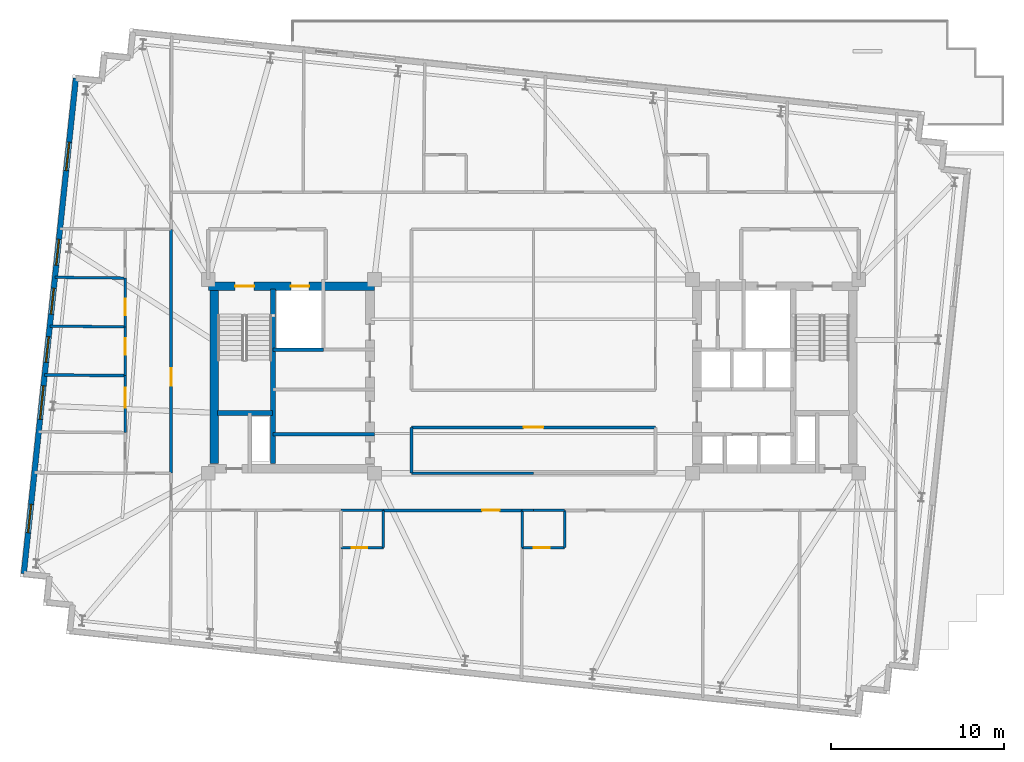
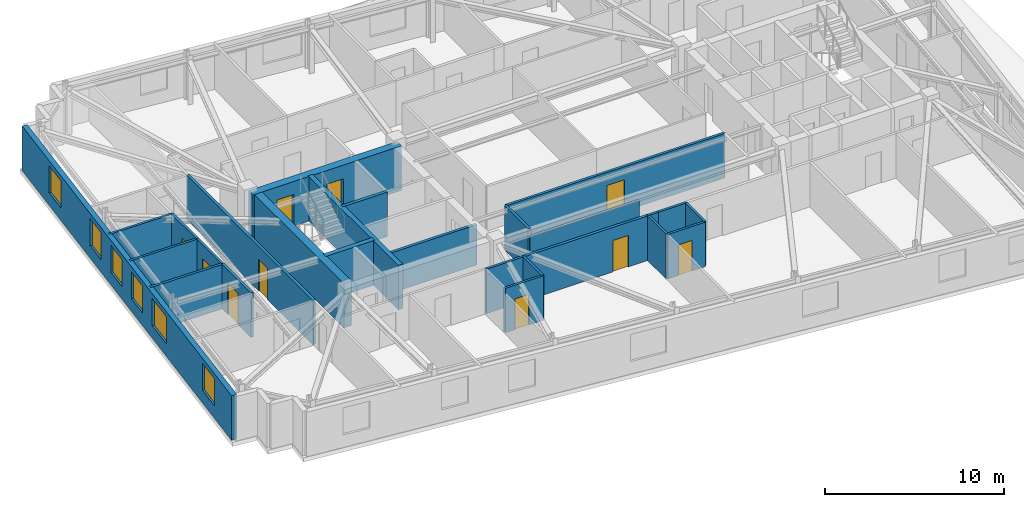
# One storey, part 6 of 13: 26 walls, 10 doors, 6 windows, 16 openings.
"""IFC4 building model written with IfcOpenShell, lengths in metres."""

import ifcopenshell
import ifcopenshell.guid

model = None  # the IFC model being written
_history = None  # IfcOwnerHistory: only IFC2X3 demands one
_inside = {}  # id of a spatial element -> (the spatial element, [elements in it])
_under = {}  # id of a project, library or spatial element -> (it, [spatial elements below it])
_declared = {}  # id of a project -> (the project, [libraries it declares])
_typed = {}  # id of a type object -> (the type object, [elements of that type])
_made_of = {}  # id of a material, layer set ... -> (it, [elements and type objects made of it])


def new_model(schema):
    """Start an empty IFC model of exactly this schema.

    Asked for "IFC4X3", IfcOpenShell would pick the latest addendum, in which some entities
    have other attributes; the version numbers below select the first issue.
    IFC2X3 requires an IfcOwnerHistory on every rooted entity: one is made here for all.
    """
    global model, _history
    if schema == "IFC4X3":
        model = ifcopenshell.file(schema_version=(4, 3, 0, 0))
    else:
        model = ifcopenshell.file(schema=schema)
    _inside.clear()
    _under.clear()
    _declared.clear()
    _typed.clear()
    _made_of.clear()
    _history = None
    if model.schema == "IFC2X3":
        org = make("IfcOrganization", Name="unknown")
        user = make(
            "IfcPersonAndOrganization",
            ThePerson=make("IfcPerson", FamilyName="unknown"),
            TheOrganization=org,
        )
        app = make(
            "IfcApplication",
            ApplicationDeveloper=org,
            Version="unknown",
            ApplicationFullName="unknown",
            ApplicationIdentifier="unknown",
        )
        _history = make(
            "IfcOwnerHistory",
            OwningUser=user,
            OwningApplication=app,
            ChangeAction="ADDED",
            CreationDate=0,
        )
    return model


def make(cls, **values):
    """One entity of the class cls with the attributes given. An attribute that is None is left unset."""
    return model.create_entity(
        cls, **{name: value for name, value in values.items() if value is not None}
    )


def rooted(cls, **values):
    """An entity with a GlobalId (a new one), such as an element, a storey or a relation."""
    return make(cls, GlobalId=ifcopenshell.guid.new(), OwnerHistory=_history, **values)


def si_unit(unit_type, name, prefix=None):
    """IfcSIUnit, for example si_unit("LENGTHUNIT", "METRE", prefix="MILLI")."""
    return make("IfcSIUnit", UnitType=unit_type, Prefix=prefix, Name=name)


def assignment(units):
    """IfcUnitAssignment: the units of a project."""
    return None if units is None else make("IfcUnitAssignment", Units=units)


def point(xyz):
    """IfcCartesianPoint."""
    return None if xyz is None else make("IfcCartesianPoint", Coordinates=xyz)


def direction(xyz):
    """IfcDirection."""
    return None if xyz is None else make("IfcDirection", DirectionRatios=xyz)


def frame(location, z_axis=None, x_axis=None):
    """IfcAxis2Placement3D, a coordinate frame: its origin and axes. An axis left out is left unset."""
    return make(
        "IfcAxis2Placement3D",
        Location=point(location),
        Axis=direction(z_axis),
        RefDirection=direction(x_axis),
    )


def frame_2d(location, x_axis=None):
    """IfcAxis2Placement2D, a coordinate frame in the plane: its origin and x axis."""
    return make(
        "IfcAxis2Placement2D", Location=point(location), RefDirection=direction(x_axis)
    )


def origin():
    """The frame at (0, 0, 0) with its axes left unset."""
    return frame((0.0, 0.0, 0.0))


def place(relative_to, where):
    """IfcLocalPlacement: puts the frame where relative to a parent placement (None: the world)."""
    return make(
        "IfcLocalPlacement", PlacementRelTo=relative_to, RelativePlacement=where
    )


def context(
    kind, dimensions, precision=None, world=None, true_north=None, identifier=None
):
    """IfcGeometricRepresentationContext, for example the 3D "Model" context."""
    return make(
        "IfcGeometricRepresentationContext",
        ContextIdentifier=identifier,
        ContextType=kind,
        CoordinateSpaceDimension=dimensions,
        Precision=precision,
        WorldCoordinateSystem=world,
        TrueNorth=true_north,
    )


def subcontext(parent, identifier, kind, view, scale=None):
    """IfcGeometricRepresentationSubContext, for example "Body" below "Model"."""
    return make(
        "IfcGeometricRepresentationSubContext",
        ContextIdentifier=identifier,
        ContextType=kind,
        ParentContext=parent,
        TargetScale=scale,
        TargetView=view,
    )


def project(units=None, contexts=None):
    """IfcProject with its units and contexts."""
    return rooted(
        "IfcProject",
        Name="project",
        RepresentationContexts=contexts,
        UnitsInContext=assignment(units),
    )


def spatial(cls, under=None, at=None, **own):
    """A site, building, storey or space (cls), placed at a placement, below another one or the project."""
    s = rooted(cls, ObjectPlacement=at, **own)
    if under is not None:
        _under.setdefault(under.id(), (under, []))[1].append(s)
    return s


def profile(cls, at=None, kind="AREA", **sizes):
    """A parametric profile (cls). Its sizes go by their IFC names, for example OverallWidth=200.0."""
    return make(cls, ProfileType=kind, Position=at, **sizes)


def rectangle(**sizes):
    """IfcRectangleProfileDef."""
    return profile("IfcRectangleProfileDef", **sizes)


def extrude(swept, where, along, depth):
    """IfcExtrudedAreaSolid: the profile swept, set in the frame where, extruded along a direction by depth."""
    return make(
        "IfcExtrudedAreaSolid",
        SweptArea=swept,
        Position=where,
        ExtrudedDirection=direction(along),
        Depth=depth,
    )


def shape(context_of_items, identifier, shape_type, items):
    """IfcShapeRepresentation: the items that make up one representation, for example the "Body"."""
    return make(
        "IfcShapeRepresentation",
        ContextOfItems=context_of_items,
        RepresentationIdentifier=identifier,
        RepresentationType=shape_type,
        Items=items,
    )


def material(Name=None, Category=None):
    """IfcMaterial."""
    return make("IfcMaterial", Name=Name, Category=Category)


def layer(
    of_material, thickness, ventilated=None, Name=None, Category=None, Priority=None
):
    """IfcMaterialLayer: one layer of a wall or slab, of a material (None: an air gap)."""
    return make(
        "IfcMaterialLayer",
        Material=of_material,
        LayerThickness=thickness,
        IsVentilated=ventilated,
        Name=Name,
        Category=Category,
        Priority=Priority,
    )


def layer_set(layers, Name=None):
    """IfcMaterialLayerSet."""
    return make("IfcMaterialLayerSet", MaterialLayers=layers, LayerSetName=Name)


def made_of(thing, what):
    """Note that an element or type object is made of a material, layer set ...; save() writes the relation."""
    if what is not None:
        _made_of.setdefault(what.id(), (what, []))[1].append(thing)
    return thing


def type_object(cls, material=None, **own):
    """A type object (cls), such as IfcWallType, which elements share."""
    return made_of(rooted(cls, **own), material)


def element(
    cls,
    number,
    at=None,
    inside=None,
    cuts=None,
    type_object=None,
    material=None,
    context=None,
    identifier="Body",
    shape_type=None,
    held_by="IfcProductDefinitionShape",
    body=None,
    shapes=None,
    **own,
):
    """One element of the class cls, such as IfcWall. Its Tag is "e" and its number.

    at: its placement. inside: the storey or other place that contains it. cuts: it is an
    opening in that element (IfcRelVoidsElement). A single representation is given by context,
    identifier, shape_type and body (its items); several are given by shapes. held_by: the class
    of the entity that holds the representations. save() writes the other relations.
    """
    e = rooted(cls, Tag="e%d" % number, ObjectPlacement=at, **own)
    if body is not None:
        shapes = [shape(context, identifier, shape_type, body)]
    if shapes is not None:
        e.Representation = make(held_by, Representations=shapes)
    if inside is not None:
        _inside.setdefault(inside.id(), (inside, []))[1].append(e)
    if cuts is not None:
        rooted(
            "IfcRelVoidsElement", RelatingBuildingElement=cuts, RelatedOpeningElement=e
        )
    if type_object is not None:
        _typed.setdefault(type_object.id(), (type_object, []))[1].append(e)
    return made_of(e, material)


def fill(opening, filler):
    """IfcRelFillsElement: the door or window that sits in an opening."""
    return rooted(
        "IfcRelFillsElement",
        RelatingOpeningElement=opening,
        RelatedBuildingElement=filler,
    )


def aggregate(whole, parts):
    """IfcRelAggregates: a whole, such as a stair, and the parts it consists of."""
    return rooted("IfcRelAggregates", RelatingObject=whole, RelatedObjects=parts)


def save(model, path):
    """Write the relations noted so far, then the file.

    IfcRelAggregates (storeys below a building ...), IfcRelContainedInSpatialStructure (elements
    in a storey), IfcRelDefinesByType, IfcRelAssociatesMaterial and IfcRelDeclares: one each for
    every whole, place, type object, material and project.
    """
    for whole, parts in _under.values():
        aggregate(whole, parts)
    for where, things in _inside.values():
        rooted(
            "IfcRelContainedInSpatialStructure",
            RelatedElements=things,
            RelatingStructure=where,
        )
    for kind, things in _typed.values():
        rooted("IfcRelDefinesByType", RelatedObjects=things, RelatingType=kind)
    for what, things in _made_of.values():
        rooted("IfcRelAssociatesMaterial", RelatedObjects=things, RelatingMaterial=what)
    for by, libraries in _declared.values():
        rooted("IfcRelDeclares", RelatingContext=by, RelatedDefinitions=libraries)
    model.write(path)


model = new_model("IFC4")

# Units and contexts
model_context = context("Model", 3, precision=1e-05, world=origin(), true_north=direction((0.0, 1.0)))
body_context = subcontext(model_context, "Body", "Model", "MODEL_VIEW")
ifc_project = project(units=[si_unit("LENGTHUNIT", "METRE"), si_unit("AREAUNIT", "SQUARE_METRE"), si_unit("VOLUMEUNIT", "CUBIC_METRE"), si_unit("PLANEANGLEUNIT", "RADIAN"), si_unit("MASSUNIT", "GRAM", prefix="KILO")], contexts=[model_context])

# Site, building, storey
site_placement = place(None, origin())
site = spatial("IfcSite", under=ifc_project, at=site_placement, CompositionType="ELEMENT")
building_placement = place(site_placement, origin())
building = spatial("IfcBuilding", under=site, at=building_placement, Name="Qobustan Lattice House", CompositionType="ELEMENT")
storey_placement = place(building_placement, frame((0.0, 0.0, 179.64990234375)))
storey = spatial("IfcBuildingStorey", under=building, at=storey_placement, Name="L50", CompositionType="ELEMENT", Elevation=179.64990234375)

# Wall, openings, doors
ifc_material_1 = material(Name="Concrete C50/60", Category="concrete")
ifc_layer_1 = layer(ifc_material_1, 0.5)
ifc_layer_set_1 = layer_set([ifc_layer_1], Name="Concrete C50/60")
wall_type_1 = type_object("IfcWallType", Name="WAL-CORE-500", PredefinedType="SHEAR", material=ifc_layer_set_1)
wall_1_placement = place(storey_placement, frame((-18.800048828125, 5.2099609375, 0.0), z_axis=(0.0, 0.0, 1.0), x_axis=(1.0, 0.0, 0.0)))
wall_1 = element("IfcWall", 1, at=wall_1_placement, inside=storey, type_object=wall_type_1, Name="L50 split-core shear wall CW-N", PredefinedType="SHEAR", context=body_context, shape_type="SweptSolid", body=[
    extrude(rectangle(XDim=9.60009765625, YDim=0.5, at=frame_2d((4.800048828125, 0.0))), origin(), (0.0, 0.0, 1.0), 3.0400390625),
])
opening_1_placement = place(wall_1_placement, frame((1.550048828125, 0.0, 0.0)))
opening_1 = element("IfcOpeningElement", 2, at=opening_1_placement, cuts=wall_1, Name="Opening SD-01", PredefinedType="OPENING", context=body_context, shape_type="SweptSolid", body=[
    extrude(rectangle(XDim=1.10009765625, YDim=2.14990234375, at=frame_2d((0.550048828125, 1.074951171875))), frame((0.0, 0.260009765625, 0.0), z_axis=(0.0, -1.0, 0.0), x_axis=(1.0, 0.0, 0.0)), (0.0, 0.0, 1.0), 0.52001953125),
])
opening_2_placement = place(wall_1_placement, frame((4.77490234375, 0.0, 0.0)))
opening_2 = element("IfcOpeningElement", 3, at=opening_2_placement, cuts=wall_1, Name="Opening LD-01", PredefinedType="OPENING", context=body_context, shape_type="SweptSolid", body=[
    extrude(rectangle(XDim=1.050048828125, YDim=2.10009765625, at=frame_2d((0.52490234375, 1.050048828125))), frame((0.0, 0.260009765625, 0.0), z_axis=(0.0, -1.0, 0.0), x_axis=(1.0, 0.0, 0.0)), (0.0, 0.0, 1.0), 0.52001953125),
])
ifc_material_2 = material(Name="Persian walnut timber and steel frame door", Category="steel")
door_type_1 = type_object("IfcDoorType", Name="DOR-LIFT-LD-1050x2100", OperationType="NOTDEFINED", PredefinedType="DOOR", material=ifc_material_2)
door_1_placement = place(opening_2_placement, origin())
door_1 = element("IfcDoor", 4, at=door_1_placement, inside=storey, type_object=door_type_1, Name="L50 firefighting lift FF-W landing door", OperationType="DOUBLE_DOOR_SLIDING", OverallHeight=2.10009765625, OverallWidth=1.050048828125, PredefinedType="DOOR", context=body_context, shape_type="SweptSolid", body=[
    extrude(rectangle(XDim=1.050048828125, YDim=2.10009765625, at=frame_2d((0.52490234375, 1.050048828125))), frame((0.0, 0.02490234375, 0.0), z_axis=(0.0, -1.0, 0.0), x_axis=(1.0, 0.0, 0.0)), (0.0, 0.0, 1.0), 0.050048828125),
])
fill(opening_2, door_1)
ifc_material_3 = material(Name="Persian walnut timber and steel frame door", Category="steel")
door_type_2 = type_object("IfcDoorType", Name="DOR-STAIR-FD-1100x2150", OperationType="NOTDEFINED", PredefinedType="DOOR", material=ifc_material_3)
door_2_placement = place(opening_1_placement, origin())
door_2 = element("IfcDoor", 5, at=door_2_placement, inside=storey, type_object=door_type_2, Name="L50 exit stair ST-W1 fire door", OperationType="SINGLE_SWING_LEFT", OverallHeight=2.14990234375, OverallWidth=1.10009765625, PredefinedType="DOOR", context=body_context, shape_type="SweptSolid", body=[
    extrude(rectangle(XDim=1.10009765625, YDim=2.14990234375, at=frame_2d((0.550048828125, 1.074951171875))), frame((0.0, 0.02490234375, 0.0), z_axis=(0.0, -1.0, 0.0), x_axis=(1.0, 0.0, 0.0)), (0.0, 0.0, 1.0), 0.050048828125),
])
fill(opening_1, door_2)

# Walls
wall_2_placement = place(storey_placement, frame((-18.4599609375, -5.050048828125, 0.0), z_axis=(0.0, 0.0, 1.0), x_axis=(0.0, 1.0, 0.0)))
element("IfcWall", 6, at=wall_2_placement, inside=storey, type_object=wall_type_1, Name="L50 split-core shear wall CW-W", PredefinedType="SHEAR", context=body_context, shape_type="SweptSolid", body=[
    extrude(rectangle(XDim=10.10009765625, YDim=0.5, at=frame_2d((5.050048828125, 0.0))), origin(), (0.0, 0.0, 1.0), 3.0400390625),
])
ifc_material_4 = material(Name="Concrete C50/60", Category="concrete")
ifc_layer_2 = layer(ifc_material_4, 0.280029296875)
ifc_layer_set_2 = layer_set([ifc_layer_2], Name="Concrete C50/60")
wall_type_2 = type_object("IfcWallType", Name="WAL-CORE-SPINE-280", PredefinedType="SHEAR", material=ifc_layer_set_2)
wall_3_placement = place(storey_placement, frame((-15.050048828125, -5.050048828125, 0.0), z_axis=(0.0, 0.0, 1.0), x_axis=(0.0, 1.0, 0.0)))
element("IfcWall", 7, at=wall_3_placement, inside=storey, type_object=wall_type_2, Name="L50 split-core shear wall CW-M", PredefinedType="SHEAR", context=body_context, shape_type="SweptSolid", body=[
    extrude(rectangle(XDim=10.10009765625, YDim=0.300048828125, at=frame_2d((5.050048828125, 0.0))), origin(), (0.0, 0.0, 1.0), 3.0400390625),
])
wall_4_placement = place(storey_placement, frame((-18.280029296875, -2.110107421875, 0.0), z_axis=(0.0, 0.0, 1.0), x_axis=(1.0, 0.0, 0.0)))
element("IfcWall", 8, at=wall_4_placement, inside=storey, type_object=wall_type_2, Name="L50 split-core shear wall CW-ST", PredefinedType="SHEAR", context=body_context, shape_type="SweptSolid", body=[
    extrude(rectangle(XDim=3.179931640625, YDim=0.300048828125, at=frame_2d((1.58984375, 0.0))), origin(), (0.0, 0.0, 1.0), 3.0400390625),
])

# Wall, openings, windows
ifc_material_5 = material(Name="Precast concrete C40/50", Category="concrete")
ifc_layer_3 = layer(ifc_material_5, 0.320068359375)
ifc_layer_set_3 = layer_set([ifc_layer_3], Name="Precast concrete C40/50")
wall_type_3 = type_object("IfcWallType", Name="WAL-EXT-STONE-320", PredefinedType="SOLIDWALL", material=ifc_layer_set_3)
wall_5_placement = place(storey_placement, frame((-29.46337890625, -11.413818359375, 0.0), z_axis=(0.0, 0.0, 1.0), x_axis=(0.104530779244, 0.994521651947, 0.0)))
wall_5 = element("IfcWall", 9, at=wall_5_placement, inside=storey, type_object=wall_type_3, Name="L50 exterior limestone-clad wall 5", PredefinedType="SOLIDWALL", context=body_context, shape_type="SweptSolid", body=[
    extrude(rectangle(XDim=28.800048828125, YDim=0.320068359375, at=frame_2d((14.39990234375, 0.0))), origin(), (0.0, 0.0, 1.0), 3.0400390625),
])
opening_3_placement = place(wall_5_placement, frame((2.3837890625, 0.0, 0.85009765625)))
opening_3 = element("IfcOpeningElement", 10, at=opening_3_placement, cuts=wall_5, Name="Opening WN-09", PredefinedType="OPENING", context=body_context, shape_type="SweptSolid", body=[
    extrude(rectangle(XDim=1.64990234375, YDim=1.85009765625, at=frame_2d((0.824951171875, 0.925048828125))), frame((0.0, 0.169921875, 0.0), z_axis=(0.0, -1.0, 0.0), x_axis=(1.0, 0.0, 0.0)), (0.0, 0.0, 1.0), 0.340087890625),
])
opening_4_placement = place(wall_5_placement, frame((8.97265625, 0.0, 0.85009765625)))
opening_4 = element("IfcOpeningElement", 11, at=opening_4_placement, cuts=wall_5, Name="Opening WN-08", PredefinedType="OPENING", context=body_context, shape_type="SweptSolid", body=[
    extrude(rectangle(XDim=1.949951171875, YDim=1.85009765625, at=frame_2d((0.97509765625, 0.925048828125))), frame((0.0, 0.169921875, 0.0), z_axis=(0.0, -1.0, 0.0), x_axis=(1.0, 0.0, 0.0)), (0.0, 0.0, 1.0), 0.340087890625),
])
opening_5_placement = place(wall_5_placement, frame((12.2861328125, 0.0, 0.85009765625)))
opening_5 = element("IfcOpeningElement", 12, at=opening_5_placement, cuts=wall_5, Name="Opening WN-01", PredefinedType="OPENING", context=body_context, shape_type="SweptSolid", body=[
    extrude(rectangle(XDim=1.5, YDim=1.85009765625, at=frame_2d((0.75, 0.925048828125))), frame((0.0, 0.169921875, 0.0), z_axis=(0.0, -1.0, 0.0), x_axis=(1.0, 0.0, 0.0)), (0.0, 0.0, 1.0), 0.340087890625),
])
opening_6_placement = place(wall_5_placement, frame((15.093994140625, 0.0, 0.85009765625)))
opening_6 = element("IfcOpeningElement", 13, at=opening_6_placement, cuts=wall_5, Name="Opening WN-01", PredefinedType="OPENING", context=body_context, shape_type="SweptSolid", body=[
    extrude(rectangle(XDim=1.5, YDim=1.85009765625, at=frame_2d((0.75, 0.925048828125))), frame((0.0, 0.169921875, 0.0), z_axis=(0.0, -1.0, 0.0), x_axis=(1.0, 0.0, 0.0)), (0.0, 0.0, 1.0), 0.340087890625),
])
opening_7_placement = place(wall_5_placement, frame((17.94189453125, 0.0, 0.85009765625)))
opening_7 = element("IfcOpeningElement", 14, at=opening_7_placement, cuts=wall_5, Name="Opening WN-01", PredefinedType="OPENING", context=body_context, shape_type="SweptSolid", body=[
    extrude(rectangle(XDim=1.5, YDim=1.85009765625, at=frame_2d((0.75, 0.925048828125))), frame((0.0, 0.169921875, 0.0), z_axis=(0.0, -1.0, 0.0), x_axis=(1.0, 0.0, 0.0)), (0.0, 0.0, 1.0), 0.340087890625),
])
opening_8_placement = place(wall_5_placement, frame((23.4423828125, 0.0, 0.85009765625)))
opening_8 = element("IfcOpeningElement", 15, at=opening_8_placement, cuts=wall_5, Name="Opening WN-09", PredefinedType="OPENING", context=body_context, shape_type="SweptSolid", body=[
    extrude(rectangle(XDim=1.64990234375, YDim=1.85009765625, at=frame_2d((0.824951171875, 0.925048828125))), frame((0.0, 0.169921875, 0.0), z_axis=(0.0, -1.0, 0.0), x_axis=(1.0, 0.0, 0.0)), (0.0, 0.0, 1.0), 0.340087890625),
])
ifc_material_6 = material(Name="Double-glazed low-E aluminium window", Category="aluminium")
window_type_1 = type_object("IfcWindowType", Name="WIN-BED-1500x1850", PartitioningType="SINGLE_PANEL", PredefinedType="WINDOW", material=ifc_material_6)
window_1_placement = place(opening_5_placement, origin())
window_1 = element("IfcWindow", 16, at=window_1_placement, inside=storey, type_object=window_type_1, Name="L50 Cluster bedroom L50W1 window", OverallHeight=1.85009765625, OverallWidth=1.5, PartitioningType="SINGLE_PANEL", PredefinedType="WINDOW", context=body_context, shape_type="SweptSolid", body=[
    extrude(rectangle(XDim=1.5, YDim=1.85009765625, at=frame_2d((0.75, 0.925048828125))), frame((0.0, 0.030029296875, 0.0), z_axis=(0.0, -1.0, 0.0), x_axis=(1.0, 0.0, 0.0)), (0.0, 0.0, 1.0), 0.06005859375),
])
fill(opening_5, window_1)
window_2_placement = place(opening_6_placement, origin())
window_2 = element("IfcWindow", 17, at=window_2_placement, inside=storey, type_object=window_type_1, Name="L50 Cluster bedroom L50W2 window", OverallHeight=1.85009765625, OverallWidth=1.5, PartitioningType="SINGLE_PANEL", PredefinedType="WINDOW", context=body_context, shape_type="SweptSolid", body=[
    extrude(rectangle(XDim=1.5, YDim=1.85009765625, at=frame_2d((0.75, 0.925048828125))), frame((0.0, 0.030029296875, 0.0), z_axis=(0.0, -1.0, 0.0), x_axis=(1.0, 0.0, 0.0)), (0.0, 0.0, 1.0), 0.06005859375),
])
fill(opening_6, window_2)
window_3_placement = place(opening_7_placement, origin())
window_3 = element("IfcWindow", 18, at=window_3_placement, inside=storey, type_object=window_type_1, Name="L50 Cluster bedroom L50W3 window", OverallHeight=1.85009765625, OverallWidth=1.5, PartitioningType="SINGLE_PANEL", PredefinedType="WINDOW", context=body_context, shape_type="SweptSolid", body=[
    extrude(rectangle(XDim=1.5, YDim=1.85009765625, at=frame_2d((0.75, 0.925048828125))), frame((0.0, 0.030029296875, 0.0), z_axis=(0.0, -1.0, 0.0), x_axis=(1.0, 0.0, 0.0)), (0.0, 0.0, 1.0), 0.06005859375),
])
fill(opening_7, window_3)
ifc_material_7 = material(Name="Double-glazed low-E aluminium window", Category="aluminium")
window_type_2 = type_object("IfcWindowType", Name="WIN-KIT-1950x1850", PartitioningType="SINGLE_PANEL", PredefinedType="WINDOW", material=ifc_material_7)
window_4_placement = place(opening_4_placement, origin())
window_4 = element("IfcWindow", 19, at=window_4_placement, inside=storey, type_object=window_type_2, Name="L50 Shared kitchen L50W window", OverallHeight=1.85009765625, OverallWidth=1.949951171875, PartitioningType="SINGLE_PANEL", PredefinedType="WINDOW", context=body_context, shape_type="SweptSolid", body=[
    extrude(rectangle(XDim=1.949951171875, YDim=1.85009765625, at=frame_2d((0.97509765625, 0.925048828125))), frame((0.0, 0.030029296875, 0.0), z_axis=(0.0, -1.0, 0.0), x_axis=(1.0, 0.0, 0.0)), (0.0, 0.0, 1.0), 0.06005859375),
])
fill(opening_4, window_4)
ifc_material_8 = material(Name="Double-glazed low-E aluminium window", Category="aluminium")
window_type_3 = type_object("IfcWindowType", Name="WIN-STU-1650x1850", PartitioningType="SINGLE_PANEL", PredefinedType="WINDOW", material=ifc_material_8)
window_5_placement = place(opening_3_placement, origin())
window_5 = element("IfcWindow", 20, at=window_5_placement, inside=storey, type_object=window_type_3, Name="L50 Reading study room L50WS window", OverallHeight=1.85009765625, OverallWidth=1.64990234375, PartitioningType="SINGLE_PANEL", PredefinedType="WINDOW", context=body_context, shape_type="SweptSolid", body=[
    extrude(rectangle(XDim=1.64990234375, YDim=1.85009765625, at=frame_2d((0.824951171875, 0.925048828125))), frame((0.0, 0.030029296875, 0.0), z_axis=(0.0, -1.0, 0.0), x_axis=(1.0, 0.0, 0.0)), (0.0, 0.0, 1.0), 0.06005859375),
])
fill(opening_3, window_5)
window_6_placement = place(opening_8_placement, origin())
window_6 = element("IfcWindow", 21, at=window_6_placement, inside=storey, type_object=window_type_3, Name="L50 Reading study room L50WN window", OverallHeight=1.85009765625, OverallWidth=1.64990234375, PartitioningType="SINGLE_PANEL", PredefinedType="WINDOW", context=body_context, shape_type="SweptSolid", body=[
    extrude(rectangle(XDim=1.64990234375, YDim=1.85009765625, at=frame_2d((0.824951171875, 0.925048828125))), frame((0.0, 0.030029296875, 0.0), z_axis=(0.0, -1.0, 0.0), x_axis=(1.0, 0.0, 0.0)), (0.0, 0.0, 1.0), 0.06005859375),
])
fill(opening_8, window_6)

# Wall
ifc_material_9 = material(Name="Gypsum fireboard acoustic partition", Category="gypsum")
ifc_layer_4 = layer(ifc_material_9, 0.179931640625)
ifc_layer_set_4 = layer_set([ifc_layer_4], Name="Gypsum fireboard acoustic partition")
wall_type_4 = type_object("IfcWallType", Name="WAL-FIRE-180", PredefinedType="PARTITIONING", material=ifc_layer_set_4)
wall_6_placement = place(storey_placement, frame((-15.050048828125, -3.35009765625, 0.0), z_axis=(0.0, 0.0, 1.0), x_axis=(1.0, 0.0, 0.0)))
element("IfcWall", 22, at=wall_6_placement, inside=storey, type_object=wall_type_4, Name="L50 interior partition 8", PredefinedType="PARTITIONING", context=body_context, shape_type="SweptSolid", body=[
    extrude(rectangle(XDim=5.85009765625, YDim=0.179931640625, at=frame_2d((2.925048828125, 0.0))), origin(), (0.0, 0.0, 1.0), 2.755126953125),
])

# Wall, opening, door
wall_7_placement = place(storey_placement, frame((-0.64990234375, -7.75, 0.0), z_axis=(0.0, 0.0, 1.0), x_axis=(-1.0, 0.0, 0.0)))
wall_7 = element("IfcWall", 23, at=wall_7_placement, inside=storey, type_object=wall_type_4, Name="L50 interior partition 47", PredefinedType="PARTITIONING", context=body_context, shape_type="SweptSolid", body=[
    extrude(rectangle(XDim=8.025146484375, YDim=0.179931640625, at=frame_2d((4.0126953125, 0.0))), origin(), (0.0, 0.0, 1.0), 3.0400390625),
])
opening_9_placement = place(wall_7_placement, frame((1.31298828125, 0.0, 0.0)))
opening_9 = element("IfcOpeningElement", 24, at=opening_9_placement, cuts=wall_7, Name="Opening FD-02", PredefinedType="OPENING", context=body_context, shape_type="SweptSolid", body=[
    extrude(rectangle(XDim=1.0, YDim=2.14990234375, at=frame_2d((0.5, 1.074951171875))), frame((0.0, 0.099853515625, 0.0), z_axis=(0.0, -1.0, 0.0), x_axis=(1.0, 0.0, 0.0)), (0.0, 0.0, 1.0), 0.199951171875),
])
ifc_material_10 = material(Name="Persian walnut timber and steel frame door", Category="steel")
door_type_3 = type_object("IfcDoorType", Name="DOR-UNIT-FD-1000x2150", OperationType="NOTDEFINED", PredefinedType="DOOR", material=ifc_material_10)
door_3_placement = place(opening_9_placement, origin())
door_3 = element("IfcDoor", 25, at=door_3_placement, inside=storey, type_object=door_type_3, Name="L50 South-west floor corridor to Kitchenette and studio apartment L50-S2 door", OperationType="SINGLE_SWING_RIGHT", OverallHeight=2.14990234375, OverallWidth=1.0, PredefinedType="DOOR", context=body_context, shape_type="SweptSolid", body=[
    extrude(rectangle(XDim=1.0, YDim=2.14990234375, at=frame_2d((0.5, 1.074951171875))), frame((0.0, 0.02490234375, 0.0), z_axis=(0.0, -1.0, 0.0), x_axis=(1.0, 0.0, 0.0)), (0.0, 0.0, 1.0), 0.050048828125),
])
fill(opening_9, door_3)

wall_8_placement = place(storey_placement, frame((-20.949951171875, -5.60009765625, 0.0), z_axis=(0.0, 0.0, 1.0), x_axis=(0.0, 1.0, 0.0)))
wall_8 = element("IfcWall", 26, at=wall_8_placement, inside=storey, type_object=wall_type_4, Name="L50 interior partition 57", PredefinedType="PARTITIONING", context=body_context, shape_type="SweptSolid", body=[
    extrude(rectangle(XDim=14.10009765625, YDim=0.179931640625, at=frame_2d((7.050048828125, 0.0))), origin(), (0.0, 0.0, 1.0), 3.0400390625),
])
opening_10_placement = place(wall_8_placement, frame((5.0576171875, 0.0, 0.0)))
opening_10 = element("IfcOpeningElement", 27, at=opening_10_placement, cuts=wall_8, Name="Opening FD-02", PredefinedType="OPENING", context=body_context, shape_type="SweptSolid", body=[
    extrude(rectangle(XDim=1.0, YDim=2.14990234375, at=frame_2d((0.5, 1.074951171875))), frame((0.0, 0.099853515625, 0.0), z_axis=(0.0, -1.0, 0.0), x_axis=(1.0, 0.0, 0.0)), (0.0, 0.0, 1.0), 0.199951171875),
])
door_4_placement = place(opening_10_placement, origin())
door_4 = element("IfcDoor", 28, at=door_4_placement, inside=storey, type_object=door_type_3, Name="L50 West wing spine gallery to Residence entrance hall L50W door", OperationType="SINGLE_SWING_RIGHT", OverallHeight=2.14990234375, OverallWidth=1.0, PredefinedType="DOOR", context=body_context, shape_type="SweptSolid", body=[
    extrude(rectangle(XDim=1.0, YDim=2.14990234375, at=frame_2d((0.5, 1.074951171875))), frame((0.0, 0.02490234375, 0.0), z_axis=(0.0, -1.0, 0.0), x_axis=(1.0, 0.0, 0.0)), (0.0, 0.0, 1.0), 0.050048828125),
])
fill(opening_10, door_4)

ifc_material_11 = material(Name="Acoustic twin-stud gypsum partition", Category="gypsum")
ifc_layer_5 = layer(ifc_material_11, 0.14990234375)
ifc_layer_set_5 = layer_set([ifc_layer_5], Name="Acoustic twin-stud gypsum partition")
wall_type_5 = type_object("IfcWallType", Name="WAL-PART-150", PredefinedType="PARTITIONING", material=ifc_layer_set_5)
wall_9_placement = place(storey_placement, frame((-23.60009765625, 0.0400390625, 0.0), z_axis=(0.0, 0.0, 1.0), x_axis=(0.0, 1.0, 0.0)))
wall_9 = element("IfcWall", 29, at=wall_9_placement, inside=storey, type_object=wall_type_5, Name="L50 interior partition 71", PredefinedType="PARTITIONING", context=body_context, shape_type="SweptSolid", body=[
    extrude(rectangle(XDim=2.820068359375, YDim=0.14990234375, at=frame_2d((1.41015625, 0.0))), origin(), (0.0, 0.0, 1.0), 3.0400390625),
])
opening_11_placement = place(wall_9_placement, frame((1.201171875, 0.0, 0.0)))
opening_11 = element("IfcOpeningElement", 30, at=opening_11_placement, cuts=wall_9, Name="Opening ID-01", PredefinedType="OPENING", context=body_context, shape_type="SweptSolid", body=[
    extrude(rectangle(XDim=0.949951171875, YDim=2.10009765625, at=frame_2d((0.47509765625, 1.050048828125))), frame((0.0, 0.0849609375, 0.0), z_axis=(0.0, -1.0, 0.0), x_axis=(1.0, 0.0, 0.0)), (0.0, 0.0, 1.0), 0.169921875),
])
ifc_material_12 = material(Name="Persian walnut timber and steel frame door", Category="steel")
door_type_4 = type_object("IfcDoorType", Name="DOR-ROOM-950x2100", OperationType="NOTDEFINED", PredefinedType="DOOR", material=ifc_material_12)
door_5_placement = place(opening_11_placement, origin())
door_5 = element("IfcDoor", 31, at=door_5_placement, inside=storey, type_object=door_type_4, Name="L50 Residence entrance hall L50W to Cluster bedroom L50W1 door", OperationType="SINGLE_SWING_RIGHT", OverallHeight=2.10009765625, OverallWidth=0.949951171875, PredefinedType="DOOR", context=body_context, shape_type="SweptSolid", body=[
    extrude(rectangle(XDim=0.949951171875, YDim=2.10009765625, at=frame_2d((0.47509765625, 1.050048828125))), frame((0.0, 0.02490234375, 0.0), z_axis=(0.0, -1.0, 0.0), x_axis=(1.0, 0.0, 0.0)), (0.0, 0.0, 1.0), 0.050048828125),
])
fill(opening_11, door_5)

wall_10_placement = place(storey_placement, frame((-23.60009765625, 2.860107421875, 0.0), z_axis=(0.0, 0.0, 1.0), x_axis=(0.0, 1.0, 0.0)))
wall_10 = element("IfcWall", 32, at=wall_10_placement, inside=storey, type_object=wall_type_5, Name="L50 interior partition 72", PredefinedType="PARTITIONING", context=body_context, shape_type="SweptSolid", body=[
    extrude(rectangle(XDim=2.81982421875, YDim=0.14990234375, at=frame_2d((1.409912109375, 0.0))), origin(), (0.0, 0.0, 1.0), 3.0400390625),
])
opening_12_placement = place(wall_10_placement, frame((0.668701171875, 0.0, 0.0)))
opening_12 = element("IfcOpeningElement", 33, at=opening_12_placement, cuts=wall_10, Name="Opening ID-01", PredefinedType="OPENING", context=body_context, shape_type="SweptSolid", body=[
    extrude(rectangle(XDim=0.949951171875, YDim=2.10009765625, at=frame_2d((0.47509765625, 1.050048828125))), frame((0.0, 0.0849609375, 0.0), z_axis=(0.0, -1.0, 0.0), x_axis=(1.0, 0.0, 0.0)), (0.0, 0.0, 1.0), 0.169921875),
])
door_6_placement = place(opening_12_placement, origin())
door_6 = element("IfcDoor", 34, at=door_6_placement, inside=storey, type_object=door_type_4, Name="L50 Residence entrance hall L50W to Cluster bedroom L50W2 door", OperationType="SINGLE_SWING_LEFT", OverallHeight=2.10009765625, OverallWidth=0.949951171875, PredefinedType="DOOR", context=body_context, shape_type="SweptSolid", body=[
    extrude(rectangle(XDim=0.949951171875, YDim=2.10009765625, at=frame_2d((0.47509765625, 1.050048828125))), frame((0.0, 0.02490234375, 0.0), z_axis=(0.0, -1.0, 0.0), x_axis=(1.0, 0.0, 0.0)), (0.0, 0.0, 1.0), 0.050048828125),
])
fill(opening_12, door_6)

# Walls
wall_11_placement = place(storey_placement, frame((-27.95849609375, 2.90380859375, 0.0), z_axis=(0.0, 0.0, 1.0), x_axis=(0.999949734551, -0.010026383738, 0.0)))
element("IfcWall", 35, at=wall_11_placement, inside=storey, type_object=wall_type_5, Name="L50 interior partition 80", PredefinedType="PARTITIONING", context=body_context, shape_type="SweptSolid", body=[
    extrude(rectangle(XDim=4.358642578125, YDim=0.14990234375, at=frame_2d((2.17919921875, 0.0))), origin(), (0.0, 0.0, 1.0), 3.0400390625),
])
wall_12_placement = place(storey_placement, frame((-27.662109375, 5.723876953125, 0.0), z_axis=(0.0, 0.0, 1.0), x_axis=(0.999941483997, -0.010817974944, 0.0)))
element("IfcWall", 36, at=wall_12_placement, inside=storey, type_object=wall_type_5, Name="L50 interior partition 81", PredefinedType="PARTITIONING", context=body_context, shape_type="SweptSolid", body=[
    extrude(rectangle(XDim=4.062255859375, YDim=0.14990234375, at=frame_2d((2.03125, 0.0))), origin(), (0.0, 0.0, 1.0), 3.0400390625),
])
ifc_material_13 = material(Name="High-mass acoustic twin-stud partition", Category="gypsum")
ifc_layer_6 = layer(ifc_material_13, 0.1650390625)
ifc_layer_set_6 = layer_set([ifc_layer_6], Name="High-mass acoustic twin-stud partition")
wall_type_6 = type_object("IfcWallType", Name="WAL-PART-165", PredefinedType="PARTITIONING", material=ifc_layer_set_6)
wall_13_placement = place(storey_placement, frame((-7.050048828125, -5.60009765625, 0.0), z_axis=(0.0, 0.0, 1.0), x_axis=(1.0, 0.0, 0.0)))
element("IfcWall", 37, at=wall_13_placement, inside=storey, type_object=wall_type_6, Name="L50 interior partition 50", PredefinedType="PARTITIONING", context=body_context, shape_type="SweptSolid", body=[
    extrude(rectangle(XDim=7.050048828125, YDim=0.1650390625, at=frame_2d((3.52490234375, 0.0))), origin(), (0.0, 0.0, 1.0), 2.525146484375),
])

# Wall, opening, door
wall_14_placement = place(storey_placement, frame((7.050048828125, -2.949951171875, 0.0), z_axis=(0.0, 0.0, 1.0), x_axis=(-1.0, 0.0, 0.0)))
wall_14 = element("IfcWall", 38, at=wall_14_placement, inside=storey, type_object=wall_type_6, Name="L50 interior partition 62", PredefinedType="PARTITIONING", context=body_context, shape_type="SweptSolid", body=[
    extrude(rectangle(XDim=14.10009765625, YDim=0.1650390625, at=frame_2d((7.050048828125, 0.0))), origin(), (0.0, 0.0, 1.0), 3.0400390625),
])
opening_13_placement = place(wall_14_placement, frame((6.47509765625, 0.0, 0.0)))
opening_13 = element("IfcOpeningElement", 39, at=opening_13_placement, cuts=wall_14, Name="Opening ID-03", PredefinedType="OPENING", context=body_context, shape_type="SweptSolid", body=[
    extrude(rectangle(XDim=1.14990234375, YDim=2.14990234375, at=frame_2d((0.574951171875, 1.074951171875))), frame((0.0, 0.092529296875, 0.0), z_axis=(0.0, -1.0, 0.0), x_axis=(1.0, 0.0, 0.0)), (0.0, 0.0, 1.0), 0.18505859375),
])
ifc_material_14 = material(Name="Persian walnut timber and steel frame door", Category="steel")
door_type_5 = type_object("IfcDoorType", Name="DOR-KITCH-1150x2150", OperationType="NOTDEFINED", PredefinedType="DOOR", material=ifc_material_14)
door_7_placement = place(opening_13_placement, origin())
door_7 = element("IfcDoor", 40, at=door_7_placement, inside=storey, type_object=door_type_5, Name="L50 Central spine corridor to Shared kitchen and tea room door", OperationType="SINGLE_SWING_LEFT", OverallHeight=2.14990234375, OverallWidth=1.14990234375, PredefinedType="DOOR", context=body_context, shape_type="SweptSolid", body=[
    extrude(rectangle(XDim=1.14990234375, YDim=2.14990234375, at=frame_2d((0.574951171875, 1.074951171875))), frame((0.0, 0.02490234375, 0.0), z_axis=(0.0, -1.0, 0.0), x_axis=(1.0, 0.0, 0.0)), (0.0, 0.0, 1.0), 0.050048828125),
])
fill(opening_13, door_7)

# Wall
wall_15_placement = place(storey_placement, frame((-7.050048828125, -2.949951171875, 0.0), z_axis=(0.0, 0.0, 1.0), x_axis=(0.0, -1.0, 0.0)))
element("IfcWall", 41, at=wall_15_placement, inside=storey, type_object=wall_type_6, Name="L50 interior partition 64", PredefinedType="PARTITIONING", context=body_context, shape_type="SweptSolid", body=[
    extrude(rectangle(XDim=2.650146484375, YDim=0.1650390625, at=frame_2d((1.3251953125, 0.0))), origin(), (0.0, 0.0, 1.0), 3.0400390625),
])

# Wall, opening, door
wall_16_placement = place(storey_placement, frame((-23.60009765625, -3.25, 0.0), z_axis=(0.0, 0.0, 1.0), x_axis=(0.0, 1.0, 0.0)))
wall_16 = element("IfcWall", 42, at=wall_16_placement, inside=storey, type_object=wall_type_6, Name="L50 interior partition 70", PredefinedType="PARTITIONING", context=body_context, shape_type="SweptSolid", body=[
    extrude(rectangle(XDim=3.2900390625, YDim=0.1650390625, at=frame_2d((1.64501953125, 0.0))), origin(), (0.0, 0.0, 1.0), 3.0400390625),
])
opening_14_placement = place(wall_16_placement, frame((1.4375, 0.0, 0.0)))
opening_14 = element("IfcOpeningElement", 43, at=opening_14_placement, cuts=wall_16, Name="Opening ID-03", PredefinedType="OPENING", context=body_context, shape_type="SweptSolid", body=[
    extrude(rectangle(XDim=1.14990234375, YDim=2.14990234375, at=frame_2d((0.574951171875, 1.074951171875))), frame((0.0, 0.092529296875, 0.0), z_axis=(0.0, -1.0, 0.0), x_axis=(1.0, 0.0, 0.0)), (0.0, 0.0, 1.0), 0.18505859375),
])
door_8_placement = place(opening_14_placement, origin())
door_8 = element("IfcDoor", 44, at=door_8_placement, inside=storey, type_object=door_type_5, Name="L50 Residence entrance hall L50W to Shared kitchen L50W door", OperationType="SINGLE_SWING_LEFT", OverallHeight=2.14990234375, OverallWidth=1.14990234375, PredefinedType="DOOR", context=body_context, shape_type="SweptSolid", body=[
    extrude(rectangle(XDim=1.14990234375, YDim=2.14990234375, at=frame_2d((0.574951171875, 1.074951171875))), frame((0.0, 0.02490234375, 0.0), z_axis=(0.0, -1.0, 0.0), x_axis=(1.0, 0.0, 0.0)), (0.0, 0.0, 1.0), 0.050048828125),
])
fill(opening_14, door_8)

# Walls
wall_17_placement = place(storey_placement, frame((-28.2548828125, 0.083984375, 0.0), z_axis=(0.0, 0.0, 1.0), x_axis=(0.999955437781, -0.009440468835, 0.0)))
element("IfcWall", 45, at=wall_17_placement, inside=storey, type_object=wall_type_6, Name="L50 interior partition 79", PredefinedType="PARTITIONING", context=body_context, shape_type="SweptSolid", body=[
    extrude(rectangle(XDim=4.655029296875, YDim=0.1650390625, at=frame_2d((2.32763671875, 0.0))), origin(), (0.0, 0.0, 1.0), 3.0400390625),
])
ifc_material_15 = material(Name="Concrete C40/50", Category="concrete")
ifc_layer_7 = layer(ifc_material_15, 0.199951171875)
ifc_layer_set_7 = layer_set([ifc_layer_7], Name="Concrete C40/50")
wall_type_7 = type_object("IfcWallType", Name="WAL-SHAFT-200", PredefinedType="PARTITIONING", material=ifc_layer_set_7)
wall_18_placement = place(storey_placement, frame((-15.050048828125, 1.550048828125, 0.0), z_axis=(0.0, 0.0, 1.0), x_axis=(1.0, 0.0, 0.0)))
element("IfcWall", 46, at=wall_18_placement, inside=storey, type_object=wall_type_7, Name="L50 interior partition 108", PredefinedType="PARTITIONING", context=body_context, shape_type="SweptSolid", body=[
    extrude(rectangle(XDim=2.900146484375, YDim=0.199951171875, at=frame_2d((1.4501953125, 0.0))), origin(), (0.0, 0.0, 1.0), 3.0400390625),
])
ifc_material_16 = material(Name="Moisture-resistant acoustic plumbing wall", Category="gypsum")
ifc_layer_8 = layer(ifc_material_16, 0.14990234375)
ifc_layer_set_8 = layer_set([ifc_layer_8], Name="Moisture-resistant acoustic plumbing wall")
wall_type_8 = type_object("IfcWallType", Name="WAL-WET-150", PredefinedType="PLUMBINGWALL", material=ifc_layer_set_8)
wall_19_placement = place(storey_placement, frame((-8.675048828125, -7.75, 0.0), z_axis=(0.0, 0.0, 1.0), x_axis=(-1.0, 0.0, 0.0)))
element("IfcWall", 47, at=wall_19_placement, inside=storey, type_object=wall_type_8, Name="L50 interior partition 48", PredefinedType="PLUMBINGWALL", context=body_context, shape_type="SweptSolid", body=[
    extrude(rectangle(XDim=2.449951171875, YDim=0.14990234375, at=frame_2d((1.22509765625, 0.0))), origin(), (0.0, 0.0, 1.0), 3.0400390625),
])
wall_20_placement = place(storey_placement, frame((0.0, -7.75, 0.0), z_axis=(0.0, 0.0, 1.0), x_axis=(-1.0, 0.0, 0.0)))
element("IfcWall", 48, at=wall_20_placement, inside=storey, type_object=wall_type_8, Name="L50 interior partition 49", PredefinedType="PLUMBINGWALL", context=body_context, shape_type="SweptSolid", body=[
    extrude(rectangle(XDim=0.64990234375, YDim=0.14990234375, at=frame_2d((0.324951171875, 0.0))), origin(), (0.0, 0.0, 1.0), 3.0400390625),
])
wall_21_placement = place(storey_placement, frame((1.800048828125, -7.75, 0.0), z_axis=(0.0, 0.0, 1.0), x_axis=(-1.0, 0.0, 0.0)))
element("IfcWall", 49, at=wall_21_placement, inside=storey, type_object=wall_type_8, Name="L50 interior partition 53", PredefinedType="PLUMBINGWALL", context=body_context, shape_type="SweptSolid", body=[
    extrude(rectangle(XDim=1.800048828125, YDim=0.14990234375, at=frame_2d((0.89990234375, 0.0))), origin(), (0.0, 0.0, 1.0), 3.0400390625),
])

# Wall, opening, door
wall_22_placement = place(storey_placement, frame((-11.125, -9.89990234375, 0.0), z_axis=(0.0, 0.0, 1.0), x_axis=(1.0, 0.0, 0.0)))
wall_22 = element("IfcWall", 50, at=wall_22_placement, inside=storey, type_object=wall_type_8, Name="L50 interior partition 99", PredefinedType="PLUMBINGWALL", context=body_context, shape_type="SweptSolid", body=[
    extrude(rectangle(XDim=2.449951171875, YDim=0.14990234375, at=frame_2d((1.22509765625, 0.0))), origin(), (0.0, 0.0, 1.0), 3.0400390625),
])
opening_15_placement = place(wall_22_placement, frame((0.628662109375, 0.0, 0.0)))
opening_15 = element("IfcOpeningElement", 51, at=opening_15_placement, cuts=wall_22, Name="Opening WD-01", PredefinedType="OPENING", context=body_context, shape_type="SweptSolid", body=[
    extrude(rectangle(XDim=0.89990234375, YDim=2.10009765625, at=frame_2d((0.449951171875, 1.050048828125))), frame((0.0, 0.0849609375, 0.0), z_axis=(0.0, -1.0, 0.0), x_axis=(1.0, 0.0, 0.0)), (0.0, 0.0, 1.0), 0.169921875),
])
ifc_material_17 = material(Name="Persian walnut timber and steel frame door", Category="steel")
door_type_6 = type_object("IfcDoorType", Name="DOR-WET-900x2100", OperationType="NOTDEFINED", PredefinedType="DOOR", material=ifc_material_17)
door_9_placement = place(opening_15_placement, origin())
door_9 = element("IfcDoor", 52, at=door_9_placement, inside=storey, type_object=door_type_6, Name="L50 Kitchenette and studio apartment L50-S2 to En-suite bathroom L50-S2 door", OperationType="SINGLE_SWING_LEFT", OverallHeight=2.10009765625, OverallWidth=0.89990234375, PredefinedType="DOOR", context=body_context, shape_type="SweptSolid", body=[
    extrude(rectangle(XDim=0.89990234375, YDim=2.10009765625, at=frame_2d((0.449951171875, 1.050048828125))), frame((0.0, 0.02490234375, 0.0), z_axis=(0.0, -1.0, 0.0), x_axis=(1.0, 0.0, 0.0)), (0.0, 0.0, 1.0), 0.050048828125),
])
fill(opening_15, door_9)

# Walls
for number, where, z_axis, x_axis, name in (
    (53, (-8.675048828125, -9.89990234375, 0.0), (0.0, 0.0, 1.0), (0.0, 1.0, 0.0), "L50 interior partition 100"),
    (54, (-0.64990234375, -7.75, 0.0), (0.0, 0.0, 1.0), (0.0, -1.0, 0.0), "L50 interior partition 102"),
):
    element("IfcWall", number, at=place(storey_placement, frame(where, z_axis=z_axis, x_axis=x_axis)), inside=storey, type_object=wall_type_8, Name=name, PredefinedType="PLUMBINGWALL", context=body_context, shape_type="SweptSolid", body=[
        extrude(rectangle(XDim=2.14990234375, YDim=0.14990234375, at=frame_2d((1.074951171875, 0.0))), origin(), (0.0, 0.0, 1.0), 3.0400390625),
    ])

# Wall, opening, door
wall_23_placement = place(storey_placement, frame((-0.64990234375, -9.89990234375, 0.0), z_axis=(0.0, 0.0, 1.0), x_axis=(1.0, 0.0, 0.0)))
wall_23 = element("IfcWall", 55, at=wall_23_placement, inside=storey, type_object=wall_type_8, Name="L50 interior partition 103", PredefinedType="PLUMBINGWALL", context=body_context, shape_type="SweptSolid", body=[
    extrude(rectangle(XDim=2.449951171875, YDim=0.14990234375, at=frame_2d((1.22509765625, 0.0))), origin(), (0.0, 0.0, 1.0), 3.0400390625),
])
opening_16_placement = place(wall_23_placement, frame((0.677490234375, 0.0, 0.0)))
opening_16 = element("IfcOpeningElement", 56, at=opening_16_placement, cuts=wall_23, Name="Opening WD-01", PredefinedType="OPENING", context=body_context, shape_type="SweptSolid", body=[
    extrude(rectangle(XDim=0.89990234375, YDim=2.10009765625, at=frame_2d((0.449951171875, 1.050048828125))), frame((0.0, 0.0849609375, 0.0), z_axis=(0.0, -1.0, 0.0), x_axis=(1.0, 0.0, 0.0)), (0.0, 0.0, 1.0), 0.169921875),
])
door_10_placement = place(opening_16_placement, origin())
door_10 = element("IfcDoor", 57, at=door_10_placement, inside=storey, type_object=door_type_6, Name="L50 Kitchenette and studio apartment L50-S3 to En-suite bathroom L50-S3 door", OperationType="SINGLE_SWING_RIGHT", OverallHeight=2.10009765625, OverallWidth=0.89990234375, PredefinedType="DOOR", context=body_context, shape_type="SweptSolid", body=[
    extrude(rectangle(XDim=0.89990234375, YDim=2.10009765625, at=frame_2d((0.449951171875, 1.050048828125))), frame((0.0, 0.02490234375, 0.0), z_axis=(0.0, -1.0, 0.0), x_axis=(1.0, 0.0, 0.0)), (0.0, 0.0, 1.0), 0.050048828125),
])
fill(opening_16, door_10)

# Wall
wall_24_placement = place(storey_placement, frame((1.800048828125, -9.89990234375, 0.0), z_axis=(0.0, 0.0, 1.0), x_axis=(0.0, 1.0, 0.0)))
element("IfcWall", 58, at=wall_24_placement, inside=storey, type_object=wall_type_8, Name="L50 interior partition 104", PredefinedType="PLUMBINGWALL", context=body_context, shape_type="SweptSolid", body=[
    extrude(rectangle(XDim=2.14990234375, YDim=0.14990234375, at=frame_2d((1.074951171875, 0.0))), origin(), (0.0, 0.0, 1.0), 3.0400390625),
])

save(model, "model.ifc")
